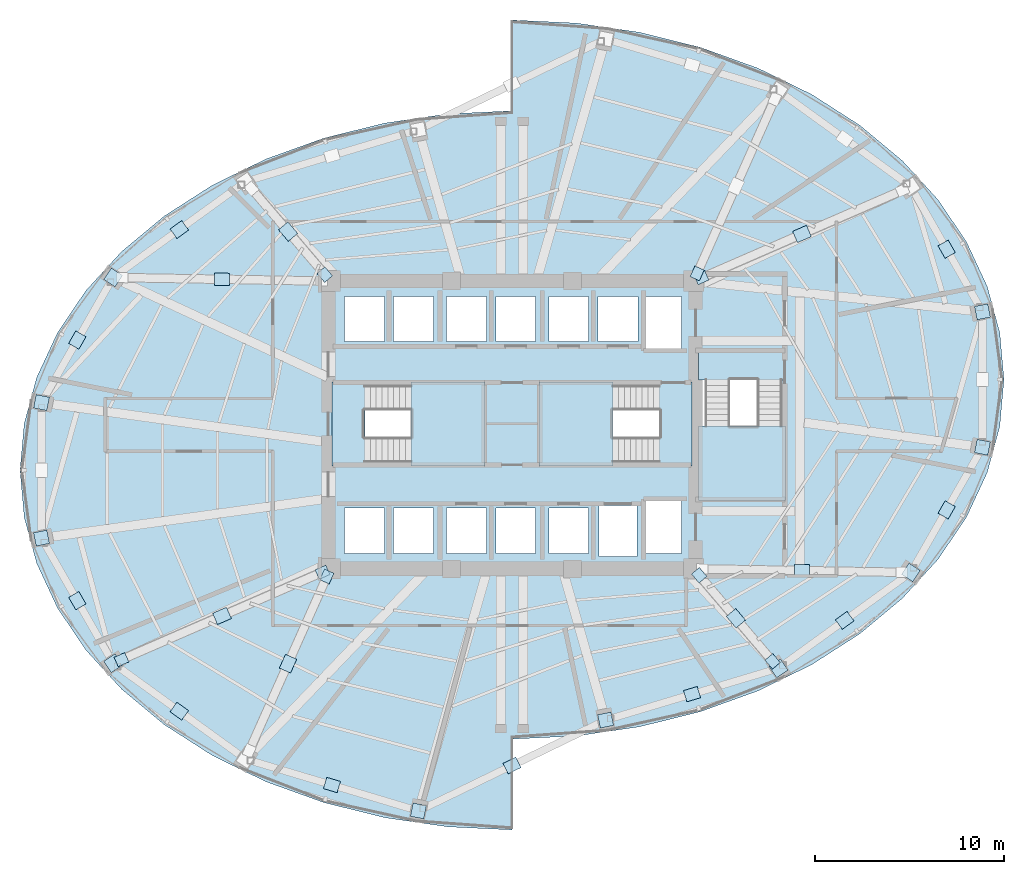
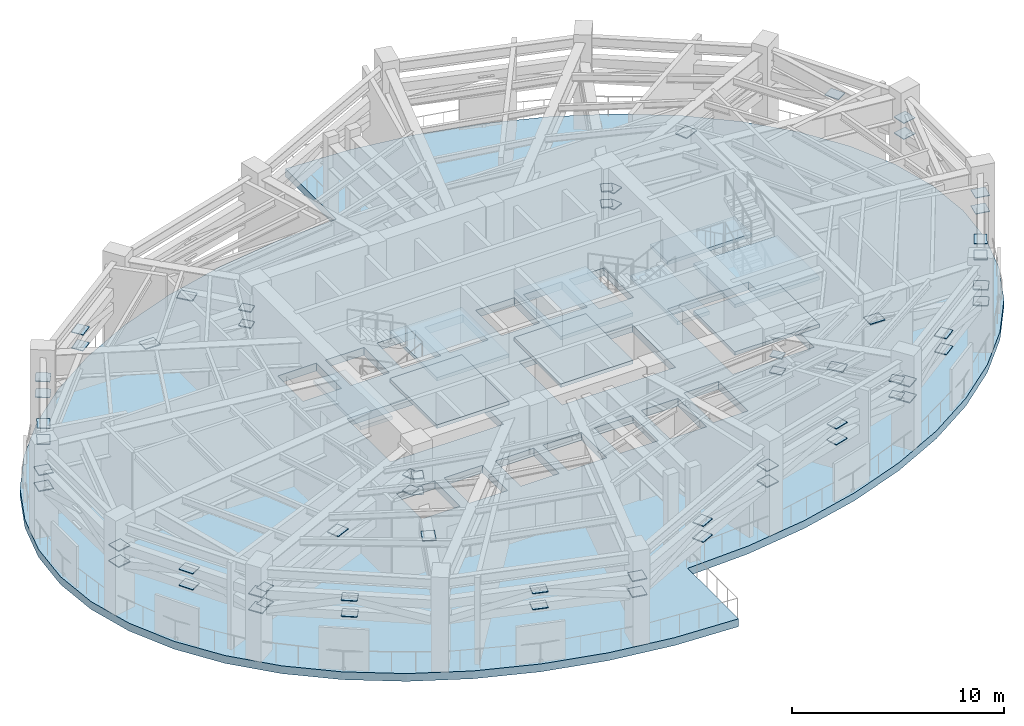
# One storey, part 6 of 12: 62 plates, 10 slabs, 3 elements without a shape of their own.
"""IFC4 building model written with IfcOpenShell, lengths in metres."""

from ifc_helpers import new_model, si_unit, direction, frame, origin, origin_2d, place, context, subcontext, project, spatial, polyline, rectangle, outline, extrude, material, layer, layer_set, type_object, element, aggregate, save


model = new_model("IFC4")

# Units and contexts
model_context = context("Model", 3, precision=1e-05, world=origin(), true_north=direction((0.0, 1.0)))
body_context = subcontext(model_context, "Body", "Model", "MODEL_VIEW")
ifc_project = project(units=[si_unit("LENGTHUNIT", "METRE"), si_unit("AREAUNIT", "SQUARE_METRE"), si_unit("VOLUMEUNIT", "CUBIC_METRE"), si_unit("PLANEANGLEUNIT", "RADIAN"), si_unit("MASSUNIT", "GRAM", prefix="KILO")], contexts=[model_context])

# Site, building, storey
site_placement = place(None, origin())
site = spatial("IfcSite", under=ifc_project, at=site_placement, CompositionType="ELEMENT")
building_placement = place(site_placement, origin())
building = spatial("IfcBuilding", under=site, at=building_placement, Name="Lazwardi Medical Tower", CompositionType="ELEMENT")
storey_placement = place(building_placement, frame((0.0, 0.0, 132.81591796875)))
storey = spatial("IfcBuildingStorey", under=building, at=storey_placement, Name="L34", CompositionType="ELEMENT", Elevation=132.81591796875)

# Plates
ifc_material_1 = material(Name="Steel S460", Category="steel")
ifc_layer_1 = layer(ifc_material_1, 0.0400390625)
ifc_layer_set_1 = layer_set([ifc_layer_1], Name="Steel S460")
plate_type = type_object("IfcPlateType", Name="PLT-GUS-01", PredefinedType="USERDEFINED", material=ifc_layer_set_1)
for number, where, z_axis, x_axis, name in (
    (1, (40.945556640625, 12.402587890625, 2.66015625), (0.0, 0.0, 1.0), (0.195090322016, -0.980785280403, 0.0), "Belt truss column gusset plate GP-01 MB01 L34"),
    (2, (40.945556640625, 12.402587890625, 3.580078125), (0.0, 0.0, 1.0), (0.195090322016, -0.980785280403, 0.0), "Belt truss column gusset plate GP-01 MT01 L34"),
):
    element("IfcPlate", number, at=place(storey_placement, frame(where, z_axis=z_axis, x_axis=x_axis)), inside=storey, type_object=plate_type, Name=name, ObjectType="GUSSET_PLATE", PredefinedType="USERDEFINED", context=body_context, shape_type="SweptSolid", body=[
        extrude(rectangle(XDim=0.719970703125, YDim=0.719970703125, at=origin_2d()), origin(), (0.0, 0.0, 1.0), 0.0400390625),
    ])
for number, where, z_axis, x_axis, name in (
    (3, (45.5146484375, 13.7724609375, 3.580078125), (0.0, 0.0, 1.0), (0.957872634129, 0.287193343912, 0.0), "Belt truss gusset plate GP-01 T01 L34"),
    (4, (45.5146484375, 13.7724609375, 2.66015625), (0.0, 0.0, 1.0), (0.957872634129, 0.287193343912, 0.0), "Belt truss gusset plate GP-01 B01 L34"),
):
    element("IfcPlate", number, at=place(storey_placement, frame(where, z_axis=z_axis, x_axis=x_axis)), inside=storey, type_object=plate_type, Name=name, ObjectType="GUSSET_PLATE", PredefinedType="USERDEFINED", context=body_context, shape_type="SweptSolid", body=[
        extrude(rectangle(XDim=0.760009765625, YDim=0.6201171875, at=origin_2d()), origin(), (0.0, 0.0, 1.0), 0.0400390625),
    ])
for number, where, z_axis, x_axis, name in (
    (5, (50.083740234375, 15.142578125, 2.66015625), (0.0, 0.0, 1.0), (0.55557023302, -0.831469612303, 0.0), "Belt truss column gusset plate GP-01 MB02 L34"),
    (6, (50.083740234375, 15.142578125, 3.580078125), (0.0, 0.0, 1.0), (0.55557023302, -0.831469612303, 0.0), "Belt truss column gusset plate GP-01 MT02 L34"),
):
    element("IfcPlate", number, at=place(storey_placement, frame(where, z_axis=z_axis, x_axis=x_axis)), inside=storey, type_object=plate_type, Name=name, ObjectType="GUSSET_PLATE", PredefinedType="USERDEFINED", context=body_context, shape_type="SweptSolid", body=[
        extrude(rectangle(XDim=0.719970703125, YDim=0.719970703125, at=origin_2d()), origin(), (0.0, 0.0, 1.0), 0.0400390625),
    ])
for number, where, z_axis, x_axis, name in (
    (7, (53.580810546875, 17.673828125, 3.580078125), (0.0, 0.0, 1.0), (0.810041640446, 0.586372356736, 0.0), "Belt truss gusset plate GP-01 T02 L34"),
    (8, (53.580810546875, 17.673828125, 2.66015625), (0.0, 0.0, 1.0), (0.810041640446, 0.586372356736, 0.0), "Belt truss gusset plate GP-01 B02 L34"),
):
    element("IfcPlate", number, at=place(storey_placement, frame(where, z_axis=z_axis, x_axis=x_axis)), inside=storey, type_object=plate_type, Name=name, ObjectType="GUSSET_PLATE", PredefinedType="USERDEFINED", context=body_context, shape_type="SweptSolid", body=[
        extrude(rectangle(XDim=0.760009765625, YDim=0.6201171875, at=origin_2d()), origin(), (0.0, 0.0, 1.0), 0.0400390625),
    ])
for number, where, z_axis, x_axis, name in (
    (9, (57.077880859375, 20.205322265625, 2.66015625), (0.0, 0.0, 1.0), (0.831469612303, -0.55557023302, 0.0), "Belt truss column gusset plate GP-01 MB03 L34"),
    (10, (57.077880859375, 20.205322265625, 3.580078125), (0.0, 0.0, 1.0), (0.831469612303, -0.55557023302, 0.0), "Belt truss column gusset plate GP-01 MT03 L34"),
):
    element("IfcPlate", number, at=place(storey_placement, frame(where, z_axis=z_axis, x_axis=x_axis)), inside=storey, type_object=plate_type, Name=name, ObjectType="GUSSET_PLATE", PredefinedType="USERDEFINED", context=body_context, shape_type="SweptSolid", body=[
        extrude(rectangle(XDim=0.719970703125, YDim=0.719970703125, at=origin_2d()), origin(), (0.0, 0.0, 1.0), 0.0400390625),
    ])
for number, where, z_axis, x_axis, name in (
    (11, (58.97021484375, 23.5126953125, 3.580078125), (0.0, 0.0, 1.0), (0.49667102347, 0.867938877136, 0.0), "Belt truss gusset plate GP-01 T03 L34"),
    (12, (58.97021484375, 23.5126953125, 2.66015625), (0.0, 0.0, 1.0), (0.49667102347, 0.867938877136, 0.0), "Belt truss gusset plate GP-01 B03 L34"),
):
    element("IfcPlate", number, at=place(storey_placement, frame(where, z_axis=z_axis, x_axis=x_axis)), inside=storey, type_object=plate_type, Name=name, ObjectType="GUSSET_PLATE", PredefinedType="USERDEFINED", context=body_context, shape_type="SweptSolid", body=[
        extrude(rectangle(XDim=0.760009765625, YDim=0.6201171875, at=origin_2d()), origin(), (0.0, 0.0, 1.0), 0.0400390625),
    ])
for number, where, z_axis, x_axis, name in (
    (13, (60.86279296875, 26.820068359375, 2.66015625), (0.0, 0.0, 1.0), (0.980785280403, -0.195090322016, 0.0), "Belt truss column gusset plate GP-01 MB04 L34"),
    (14, (60.86279296875, 26.820068359375, 3.580078125), (0.0, 0.0, 1.0), (0.980785280403, -0.195090322016, 0.0), "Belt truss column gusset plate GP-01 MT04 L34"),
    (15, (60.86279296875, 33.97998046875, 2.66015625), (0.0, 0.0, 1.0), (0.980785280403, 0.195090322016, 0.0), "Belt truss column gusset plate GP-01 MB05 L34"),
    (16, (60.86279296875, 33.97998046875, 3.580078125), (0.0, 0.0, 1.0), (0.980785280403, 0.195090322016, 0.0), "Belt truss column gusset plate GP-01 MT05 L34"),
):
    element("IfcPlate", number, at=place(storey_placement, frame(where, z_axis=z_axis, x_axis=x_axis)), inside=storey, type_object=plate_type, Name=name, ObjectType="GUSSET_PLATE", PredefinedType="USERDEFINED", context=body_context, shape_type="SweptSolid", body=[
        extrude(rectangle(XDim=0.719970703125, YDim=0.719970703125, at=origin_2d()), origin(), (0.0, 0.0, 1.0), 0.0400390625),
    ])
for number, where, z_axis, x_axis, name in (
    (17, (58.97021484375, 37.287353515625, 3.580078125), (0.0, 0.0, 1.0), (-0.49667102347, 0.867938877136, 0.0), "Belt truss gusset plate GP-01 T05 L34"),
    (18, (18.419189453125, 38.326171875, 3.580078125), (0.0, 0.0, 1.0), (-0.810041640446, -0.586372356736, 0.0), "Belt truss gusset plate GP-01 T10 L34"),
    (19, (18.419189453125, 38.326171875, 2.66015625), (0.0, 0.0, 1.0), (-0.810041640446, -0.586372356736, 0.0), "Belt truss gusset plate GP-01 B10 L34"),
):
    element("IfcPlate", number, at=place(storey_placement, frame(where, z_axis=z_axis, x_axis=x_axis)), inside=storey, type_object=plate_type, Name=name, ObjectType="GUSSET_PLATE", PredefinedType="USERDEFINED", context=body_context, shape_type="SweptSolid", body=[
        extrude(rectangle(XDim=0.760009765625, YDim=0.6201171875, at=origin_2d()), origin(), (0.0, 0.0, 1.0), 0.0400390625),
    ])
for number, where, z_axis, x_axis, name in (
    (20, (14.922119140625, 35.794677734375, 2.66015625), (0.0, 0.0, 1.0), (-0.831469612303, 0.55557023302, 0.0), "Belt truss column gusset plate GP-01 MB11 L34"),
    (21, (14.922119140625, 35.794677734375, 3.580078125), (0.0, 0.0, 1.0), (-0.831469612303, 0.55557023302, 0.0), "Belt truss column gusset plate GP-01 MT11 L34"),
):
    element("IfcPlate", number, at=place(storey_placement, frame(where, z_axis=z_axis, x_axis=x_axis)), inside=storey, type_object=plate_type, Name=name, ObjectType="GUSSET_PLATE", PredefinedType="USERDEFINED", context=body_context, shape_type="SweptSolid", body=[
        extrude(rectangle(XDim=0.719970703125, YDim=0.719970703125, at=origin_2d()), origin(), (0.0, 0.0, 1.0), 0.0400390625),
    ])
for number, where, z_axis, x_axis, name in (
    (22, (13.02978515625, 32.4873046875, 3.580078125), (0.0, 0.0, 1.0), (-0.49667102347, -0.867938877136, 0.0), "Belt truss gusset plate GP-01 T11 L34"),
    (23, (13.02978515625, 32.4873046875, 2.66015625), (0.0, 0.0, 1.0), (-0.49667102347, -0.867938877136, 0.0), "Belt truss gusset plate GP-01 B11 L34"),
):
    element("IfcPlate", number, at=place(storey_placement, frame(where, z_axis=z_axis, x_axis=x_axis)), inside=storey, type_object=plate_type, Name=name, ObjectType="GUSSET_PLATE", PredefinedType="USERDEFINED", context=body_context, shape_type="SweptSolid", body=[
        extrude(rectangle(XDim=0.760009765625, YDim=0.6201171875, at=origin_2d()), origin(), (0.0, 0.0, 1.0), 0.0400390625),
    ])
for number, where, z_axis, x_axis, name in (
    (24, (11.13720703125, 29.179931640625, 2.66015625), (0.0, 0.0, 1.0), (-0.980785280403, 0.195090322016, 0.0), "Belt truss column gusset plate GP-01 MB12 L34"),
    (25, (11.13720703125, 29.179931640625, 3.580078125), (0.0, 0.0, 1.0), (-0.980785280403, 0.195090322016, 0.0), "Belt truss column gusset plate GP-01 MT12 L34"),
    (26, (11.13720703125, 22.02001953125, 2.66015625), (0.0, 0.0, 1.0), (-0.980785280403, -0.195090322016, 0.0), "Belt truss column gusset plate GP-01 MB13 L34"),
    (27, (11.13720703125, 22.02001953125, 3.580078125), (0.0, 0.0, 1.0), (-0.980785280403, -0.195090322016, 0.0), "Belt truss column gusset plate GP-01 MT13 L34"),
):
    element("IfcPlate", number, at=place(storey_placement, frame(where, z_axis=z_axis, x_axis=x_axis)), inside=storey, type_object=plate_type, Name=name, ObjectType="GUSSET_PLATE", PredefinedType="USERDEFINED", context=body_context, shape_type="SweptSolid", body=[
        extrude(rectangle(XDim=0.719970703125, YDim=0.719970703125, at=origin_2d()), origin(), (0.0, 0.0, 1.0), 0.0400390625),
    ])
for number, where, z_axis, x_axis, name in (
    (28, (13.02978515625, 18.712646484375, 3.580078125), (0.0, 0.0, 1.0), (0.49667102347, -0.867938877136, 0.0), "Belt truss gusset plate GP-01 T13 L34"),
    (29, (13.02978515625, 18.712646484375, 2.66015625), (0.0, 0.0, 1.0), (0.49667102347, -0.867938877136, 0.0), "Belt truss gusset plate GP-01 B13 L34"),
):
    element("IfcPlate", number, at=place(storey_placement, frame(where, z_axis=z_axis, x_axis=x_axis)), inside=storey, type_object=plate_type, Name=name, ObjectType="GUSSET_PLATE", PredefinedType="USERDEFINED", context=body_context, shape_type="SweptSolid", body=[
        extrude(rectangle(XDim=0.760009765625, YDim=0.6201171875, at=origin_2d()), origin(), (0.0, 0.0, 1.0), 0.0400390625),
    ])
for number, where, z_axis, x_axis, name in (
    (30, (14.922119140625, 15.4052734375, 2.66015625), (0.0, 0.0, 1.0), (-0.831469612303, -0.55557023302, 0.0), "Belt truss column gusset plate GP-01 MB14 L34"),
    (31, (14.922119140625, 15.4052734375, 3.580078125), (0.0, 0.0, 1.0), (-0.831469612303, -0.55557023302, 0.0), "Belt truss column gusset plate GP-01 MT14 L34"),
):
    element("IfcPlate", number, at=place(storey_placement, frame(where, z_axis=z_axis, x_axis=x_axis)), inside=storey, type_object=plate_type, Name=name, ObjectType="GUSSET_PLATE", PredefinedType="USERDEFINED", context=body_context, shape_type="SweptSolid", body=[
        extrude(rectangle(XDim=0.719970703125, YDim=0.719970703125, at=origin_2d()), origin(), (0.0, 0.0, 1.0), 0.0400390625),
    ])
for number, where, z_axis, x_axis, name in (
    (32, (18.419189453125, 12.873779296875, 3.580078125), (0.0, 0.0, 1.0), (0.810041640446, -0.586372356736, 0.0), "Belt truss gusset plate GP-01 T14 L34"),
    (33, (18.419189453125, 12.873779296875, 2.66015625), (0.0, 0.0, 1.0), (0.810041640446, -0.586372356736, 0.0), "Belt truss gusset plate GP-01 B14 L34"),
    (34, (26.4853515625, 8.97265625, 3.580078125), (0.0, 0.0, 1.0), (0.957872634129, -0.287193343912, 0.0), "Belt truss gusset plate GP-01 T15 L34"),
    (35, (26.4853515625, 8.97265625, 2.66015625), (0.0, 0.0, 1.0), (0.957872634129, -0.287193343912, 0.0), "Belt truss gusset plate GP-01 B15 L34"),
):
    element("IfcPlate", number, at=place(storey_placement, frame(where, z_axis=z_axis, x_axis=x_axis)), inside=storey, type_object=plate_type, Name=name, ObjectType="GUSSET_PLATE", PredefinedType="USERDEFINED", context=body_context, shape_type="SweptSolid", body=[
        extrude(rectangle(XDim=0.760009765625, YDim=0.6201171875, at=origin_2d()), origin(), (0.0, 0.0, 1.0), 0.0400390625),
    ])
for number, where, z_axis, x_axis, name in (
    (36, (31.054443359375, 7.6025390625, 2.66015625), (0.0, 0.0, 1.0), (-0.195090322016, -0.980785280403, 0.0), "Belt truss column gusset plate GP-01 MB16 L34"),
    (37, (31.054443359375, 7.6025390625, 3.580078125), (0.0, 0.0, 1.0), (-0.195090322016, -0.980785280403, 0.0), "Belt truss column gusset plate GP-01 MT16 L34"),
):
    element("IfcPlate", number, at=place(storey_placement, frame(where, z_axis=z_axis, x_axis=x_axis)), inside=storey, type_object=plate_type, Name=name, ObjectType="GUSSET_PLATE", PredefinedType="USERDEFINED", context=body_context, shape_type="SweptSolid", body=[
        extrude(rectangle(XDim=0.719970703125, YDim=0.719970703125, at=origin_2d()), origin(), (0.0, 0.0, 1.0), 0.0400390625),
    ])
for number, where, z_axis, x_axis, name in (
    (38, (36.0, 10.002685546875, 3.580078125), (0.0, 0.0, 1.0), (0.899634001548, 0.436644779265, 0.0), "Belt truss gusset plate GP-01 T16 L34"),
    (39, (36.0, 10.002685546875, 2.66015625), (0.0, 0.0, 1.0), (0.899634001548, 0.436644779265, 0.0), "Belt truss gusset plate GP-01 B16 L34"),
):
    element("IfcPlate", number, at=place(storey_placement, frame(where, z_axis=z_axis, x_axis=x_axis)), inside=storey, type_object=plate_type, Name=name, ObjectType="GUSSET_PLATE", PredefinedType="USERDEFINED", context=body_context, shape_type="SweptSolid", body=[
        extrude(rectangle(XDim=0.760009765625, YDim=0.6201171875, at=origin_2d()), origin(), (0.0, 0.0, 1.0), 0.0400390625),
    ])
plate_1_placement = place(storey_placement, frame((20.6748046875, 17.90869140625, 3.580078125), z_axis=(0.0, 0.0, 1.0), x_axis=(-0.916920828835, -0.39906915898, 0.0)))
element("IfcPlate", 40, at=plate_1_placement, inside=storey, type_object=plate_type, Name="Outrigger truss gusset plate GP-01 OR1 L34", ObjectType="GUSSET_PLATE", PredefinedType="USERDEFINED", context=body_context, shape_type="SweptSolid", body=[
    extrude(rectangle(XDim=0.800048828125, YDim=0.64990234375, at=origin_2d()), origin(), (0.0, 0.0, 1.0), 0.0400390625),
])
for number, where, z_axis, x_axis, name in (
    (41, (25.9873046875, 20.220458984375, 2.66015625), (0.0, 0.0, 1.0), (-0.916920828835, -0.39906915898, 0.0), "Outrigger core gusset plate GP-01 OR1CB L34"),
    (42, (25.9873046875, 20.220458984375, 3.580078125), (0.0, 0.0, 1.0), (-0.916920828835, -0.39906915898, 0.0), "Outrigger core gusset plate GP-01 OR1CT L34"),
    (43, (15.3623046875, 15.5966796875, 2.66015625), (0.0, 0.0, 1.0), (-0.916920828835, -0.39906915898, 0.0), "Outrigger perimeter gusset plate GP-01 OR1MB L34"),
    (44, (15.3623046875, 15.5966796875, 3.580078125), (0.0, 0.0, 1.0), (-0.916920828835, -0.39906915898, 0.0), "Outrigger perimeter gusset plate GP-01 OR1MT L34"),
):
    element("IfcPlate", number, at=place(storey_placement, frame(where, z_axis=z_axis, x_axis=x_axis)), inside=storey, type_object=plate_type, Name=name, ObjectType="GUSSET_PLATE", PredefinedType="USERDEFINED", context=body_context, shape_type="SweptSolid", body=[
        extrude(rectangle(XDim=0.6201171875, YDim=0.5400390625, at=origin_2d()), origin(), (0.0, 0.0, 1.0), 0.0400390625),
    ])
plate_2_placement = place(storey_placement, frame((24.164306640625, 15.385009765625, 3.580078125), z_axis=(0.0, 0.0, 1.0), x_axis=(-0.407214918582, -0.913332365617, 0.0)))
element("IfcPlate", 45, at=plate_2_placement, inside=storey, type_object=plate_type, Name="Outrigger truss gusset plate GP-01 OR2 L34", ObjectType="GUSSET_PLATE", PredefinedType="USERDEFINED", context=body_context, shape_type="SweptSolid", body=[
    extrude(rectangle(XDim=0.800048828125, YDim=0.64990234375, at=origin_2d()), origin(), (0.0, 0.0, 1.0), 0.0400390625),
])
for number, where, z_axis, x_axis, name in (
    (46, (26.216796875, 19.989013671875, 2.66015625), (0.0, 0.0, 1.0), (-0.407214918582, -0.913332365617, 0.0), "Outrigger core gusset plate GP-01 OR2CB L34"),
    (47, (26.216796875, 19.989013671875, 3.580078125), (0.0, 0.0, 1.0), (-0.407214918582, -0.913332365617, 0.0), "Outrigger core gusset plate GP-01 OR2CT L34"),
):
    element("IfcPlate", number, at=place(storey_placement, frame(where, z_axis=z_axis, x_axis=x_axis)), inside=storey, type_object=plate_type, Name=name, ObjectType="GUSSET_PLATE", PredefinedType="USERDEFINED", context=body_context, shape_type="SweptSolid", body=[
        extrude(rectangle(XDim=0.6201171875, YDim=0.5400390625, at=origin_2d()), origin(), (0.0, 0.0, 1.0), 0.0400390625),
    ])
plate_3_placement = place(storey_placement, frame((47.83203125, 17.78271484375, 3.580078125), z_axis=(0.0, 0.0, 1.0), x_axis=(0.648917026597, -0.760859180527, 0.0)))
element("IfcPlate", 48, at=plate_3_placement, inside=storey, type_object=plate_type, Name="Outrigger truss gusset plate GP-01 OR3 L34", ObjectType="GUSSET_PLATE", PredefinedType="USERDEFINED", context=body_context, shape_type="SweptSolid", body=[
    extrude(rectangle(XDim=0.800048828125, YDim=0.64990234375, at=origin_2d()), origin(), (0.0, 0.0, 1.0), 0.0400390625),
])
for number, where, z_axis, x_axis, name in (
    (49, (45.89208984375, 20.0576171875, 2.66015625), (0.0, 0.0, 1.0), (0.648917026597, -0.760859180527, 0.0), "Outrigger core gusset plate GP-01 OR3CB L34"),
    (50, (45.89208984375, 20.0576171875, 3.580078125), (0.0, 0.0, 1.0), (0.648917026597, -0.760859180527, 0.0), "Outrigger core gusset plate GP-01 OR3CT L34"),
    (51, (49.772216796875, 15.5078125, 2.66015625), (0.0, 0.0, 1.0), (0.648917026597, -0.760859180527, 0.0), "Outrigger perimeter gusset plate GP-01 OR3MB L34"),
    (52, (49.772216796875, 15.5078125, 3.580078125), (0.0, 0.0, 1.0), (0.648917026597, -0.760859180527, 0.0), "Outrigger perimeter gusset plate GP-01 OR3MT L34"),
):
    element("IfcPlate", number, at=place(storey_placement, frame(where, z_axis=z_axis, x_axis=x_axis)), inside=storey, type_object=plate_type, Name=name, ObjectType="GUSSET_PLATE", PredefinedType="USERDEFINED", context=body_context, shape_type="SweptSolid", body=[
        extrude(rectangle(XDim=0.6201171875, YDim=0.5400390625, at=origin_2d()), origin(), (0.0, 0.0, 1.0), 0.0400390625),
    ])
for number, where, z_axis, x_axis, name in (
    (53, (51.323974609375, 20.302978515625, 3.60205078125), (0.0, 0.0, 1.0), (0.999856696158, -0.01692888504, 0.0), "Outrigger truss gusset plate GP-01 OR4 L34"),
    (54, (51.3251953125, 38.09130859375, 3.580078125), (0.0, 0.0, 1.0), (0.916920828835, 0.39906915898, 0.0), "Outrigger truss gusset plate GP-01 OR5 L34"),
):
    element("IfcPlate", number, at=place(storey_placement, frame(where, z_axis=z_axis, x_axis=x_axis)), inside=storey, type_object=plate_type, Name=name, ObjectType="GUSSET_PLATE", PredefinedType="USERDEFINED", context=body_context, shape_type="SweptSolid", body=[
        extrude(rectangle(XDim=0.800048828125, YDim=0.64990234375, at=origin_2d()), origin(), (0.0, 0.0, 1.0), 0.0400390625),
    ])
for number, where, z_axis, x_axis, name in (
    (55, (46.0126953125, 35.779541015625, 2.66015625), (0.0, 0.0, 1.0), (0.916920828835, 0.39906915898, 0.0), "Outrigger core gusset plate GP-01 OR5CB L34"),
    (56, (46.0126953125, 35.779541015625, 3.580078125), (0.0, 0.0, 1.0), (0.916920828835, 0.39906915898, 0.0), "Outrigger core gusset plate GP-01 OR5CT L34"),
    (57, (45.783203125, 36.010986328125, 2.66015625), (0.0, 0.0, 1.0), (0.407214918582, 0.913332365617, 0.0), "Outrigger core gusset plate GP-01 OR6CB L34"),
    (58, (45.783203125, 36.010986328125, 3.580078125), (0.0, 0.0, 1.0), (0.407214918582, 0.913332365617, 0.0), "Outrigger core gusset plate GP-01 OR6CT L34"),
):
    element("IfcPlate", number, at=place(storey_placement, frame(where, z_axis=z_axis, x_axis=x_axis)), inside=storey, type_object=plate_type, Name=name, ObjectType="GUSSET_PLATE", PredefinedType="USERDEFINED", context=body_context, shape_type="SweptSolid", body=[
        extrude(rectangle(XDim=0.6201171875, YDim=0.5400390625, at=origin_2d()), origin(), (0.0, 0.0, 1.0), 0.0400390625),
    ])
plate_4_placement = place(storey_placement, frame((24.16796875, 38.21728515625, 3.580078125), z_axis=(0.0, 0.0, 1.0), x_axis=(-0.648917026597, 0.760859180527, 0.0)))
element("IfcPlate", 59, at=plate_4_placement, inside=storey, type_object=plate_type, Name="Outrigger truss gusset plate GP-01 OR7 L34", ObjectType="GUSSET_PLATE", PredefinedType="USERDEFINED", context=body_context, shape_type="SweptSolid", body=[
    extrude(rectangle(XDim=0.800048828125, YDim=0.64990234375, at=origin_2d()), origin(), (0.0, 0.0, 1.0), 0.0400390625),
])
for number, where, z_axis, x_axis, name in (
    (60, (26.10791015625, 35.9423828125, 2.66015625), (0.0, 0.0, 1.0), (-0.648917026597, 0.760859180527, 0.0), "Outrigger core gusset plate GP-01 OR7CB L34"),
    (61, (26.10791015625, 35.9423828125, 3.580078125), (0.0, 0.0, 1.0), (-0.648917026597, 0.760859180527, 0.0), "Outrigger core gusset plate GP-01 OR7CT L34"),
):
    element("IfcPlate", number, at=place(storey_placement, frame(where, z_axis=z_axis, x_axis=x_axis)), inside=storey, type_object=plate_type, Name=name, ObjectType="GUSSET_PLATE", PredefinedType="USERDEFINED", context=body_context, shape_type="SweptSolid", body=[
        extrude(rectangle(XDim=0.6201171875, YDim=0.5400390625, at=origin_2d()), origin(), (0.0, 0.0, 1.0), 0.0400390625),
    ])
plate_5_placement = place(storey_placement, frame((20.676025390625, 35.697021484375, 3.580078125), z_axis=(0.0, 0.0, 1.0), x_axis=(-0.999856696158, 0.01692888504, 0.0)))
element("IfcPlate", 62, at=plate_5_placement, inside=storey, type_object=plate_type, Name="Outrigger truss gusset plate GP-01 OR8 L34", ObjectType="GUSSET_PLATE", PredefinedType="USERDEFINED", context=body_context, shape_type="SweptSolid", body=[
    extrude(rectangle(XDim=0.800048828125, YDim=0.64990234375, at=origin_2d()), origin(), (0.0, 0.0, 1.0), 0.0400390625),
])

# Stair, slabs
ifc_material_2 = material(Name="Concrete C45/55", Category="concrete")
stair_type = type_object("IfcStairType", Name="STR-REF", PredefinedType="HALF_TURN_STAIR", material=ifc_material_2)
stair_1_placement = place(storey_placement, origin())
stair_1 = element("IfcStair", 63, at=stair_1_placement, inside=storey, type_object=stair_type, Name="L34 Protected Exit Stair ST1", PredefinedType="HALF_TURN_STAIR")
ifc_layer_2 = layer(ifc_material_2, 0.199951171875)
ifc_layer_set_2 = layer_set([ifc_layer_2], Name="Concrete C45/55")
slab_type_1 = type_object("IfcSlabType", Name="SLB-LND-190", PredefinedType="LANDING", material=ifc_layer_set_2)
slab_1_placement = place(storey_placement, frame((0.0, 0.0, 1.16796875)))
slab_1 = element("IfcSlab", 64, at=slab_1_placement, type_object=slab_type_1, Name="ST1 landing 1", PredefinedType="LANDING", context=body_context, shape_type="SweptSolid", body=[
    extrude(outline(polyline([(30.655029296875, 25.840087890625), (34.580078125, 25.840087890625), (34.580078125, 30.280029296875), (30.655029296875, 30.280029296875), (30.655029296875, 25.840087890625)])), origin(), (0.0, 0.0, 1.0), 0.2001953125),
])
slab_2_placement = place(storey_placement, frame((0.0, 0.0, 2.5361328125)))
slab_2 = element("IfcSlab", 65, at=slab_2_placement, type_object=slab_type_1, Name="ST1 landing 2", PredefinedType="LANDING", context=body_context, shape_type="SweptSolid", body=[
    extrude(outline(polyline([(26.47998046875, 25.840087890625), (28.22509765625, 25.840087890625), (28.22509765625, 30.280029296875), (26.47998046875, 30.280029296875), (26.47998046875, 25.840087890625)])), origin(), (0.0, 0.0, 1.0), 0.199951171875),
])
slab_3_placement = place(storey_placement, frame((0.0, 0.0, 3.904052734375)))
slab_3 = element("IfcSlab", 66, at=slab_3_placement, type_object=slab_type_1, Name="ST1 landing 3", PredefinedType="LANDING", context=body_context, shape_type="SweptSolid", body=[
    extrude(outline(polyline([(30.655029296875, 25.840087890625), (34.580078125, 25.840087890625), (34.580078125, 30.280029296875), (30.655029296875, 30.280029296875), (30.655029296875, 25.840087890625)])), origin(), (0.0, 0.0, 1.0), 0.199951171875),
])
aggregate(stair_1, [slab_1, slab_2, slab_3])

stair_2_placement = place(storey_placement, origin())
stair_2 = element("IfcStair", 67, at=stair_2_placement, inside=storey, type_object=stair_type, Name="L34 Protected Exit Stair ST2", PredefinedType="HALF_TURN_STAIR")
slab_4_placement = place(storey_placement, frame((0.0, 0.0, 1.16796875)))
slab_4 = element("IfcSlab", 68, at=slab_4_placement, type_object=slab_type_1, Name="ST2 landing 1", PredefinedType="LANDING", context=body_context, shape_type="SweptSolid", body=[
    extrude(outline(polyline([(41.344970703125, 30.280029296875), (37.419921875, 30.280029296875), (37.419921875, 25.840087890625), (41.344970703125, 25.840087890625), (41.344970703125, 30.280029296875)])), origin(), (0.0, 0.0, 1.0), 0.2001953125),
])
slab_5_placement = place(storey_placement, frame((0.0, 0.0, 2.5361328125)))
slab_5 = element("IfcSlab", 69, at=slab_5_placement, type_object=slab_type_1, Name="ST2 landing 2", PredefinedType="LANDING", context=body_context, shape_type="SweptSolid", body=[
    extrude(outline(polyline([(45.52001953125, 30.280029296875), (43.77490234375, 30.280029296875), (43.77490234375, 25.840087890625), (45.52001953125, 25.840087890625), (45.52001953125, 30.280029296875)])), origin(), (0.0, 0.0, 1.0), 0.199951171875),
])
slab_6_placement = place(storey_placement, frame((0.0, 0.0, 3.904052734375)))
slab_6 = element("IfcSlab", 70, at=slab_6_placement, type_object=slab_type_1, Name="ST2 landing 3", PredefinedType="LANDING", context=body_context, shape_type="SweptSolid", body=[
    extrude(outline(polyline([(41.344970703125, 30.280029296875), (37.419921875, 30.280029296875), (37.419921875, 25.840087890625), (41.344970703125, 25.840087890625), (41.344970703125, 30.280029296875)])), origin(), (0.0, 0.0, 1.0), 0.199951171875),
])
aggregate(stair_2, [slab_4, slab_5, slab_6])

stair_3_placement = place(storey_placement, origin())
stair_3 = element("IfcStair", 71, at=stair_3_placement, inside=storey, type_object=stair_type, Name="L34 Protected Exit Stair ST3", PredefinedType="HALF_TURN_STAIR")
slab_7_placement = place(storey_placement, frame((0.0, 0.0, 1.16796875)))
slab_7 = element("IfcSlab", 72, at=slab_7_placement, type_object=slab_type_1, Name="ST3 landing 1", PredefinedType="LANDING", context=body_context, shape_type="SweptSolid", body=[
    extrude(outline(polyline([(45.860107421875, 27.945068359375), (45.860107421875, 24.02001953125), (50.4599609375, 24.02001953125), (50.4599609375, 27.945068359375), (45.860107421875, 27.945068359375)])), origin(), (0.0, 0.0, 1.0), 0.2001953125),
])
slab_8_placement = place(storey_placement, frame((0.0, 0.0, 2.5361328125)))
slab_8 = element("IfcSlab", 73, at=slab_8_placement, type_object=slab_type_1, Name="ST3 landing 2", PredefinedType="LANDING", context=body_context, shape_type="SweptSolid", body=[
    extrude(outline(polyline([(45.860107421875, 32.02001953125), (45.860107421875, 30.375), (50.4599609375, 30.375), (50.4599609375, 32.02001953125), (45.860107421875, 32.02001953125)])), origin(), (0.0, 0.0, 1.0), 0.199951171875),
])
slab_9_placement = place(storey_placement, frame((0.0, 0.0, 3.904052734375)))
slab_9 = element("IfcSlab", 74, at=slab_9_placement, type_object=slab_type_1, Name="ST3 landing 3", PredefinedType="LANDING", context=body_context, shape_type="SweptSolid", body=[
    extrude(outline(polyline([(45.860107421875, 27.945068359375), (45.860107421875, 24.02001953125), (50.4599609375, 24.02001953125), (50.4599609375, 27.945068359375), (45.860107421875, 27.945068359375)])), origin(), (0.0, 0.0, 1.0), 0.199951171875),
])
aggregate(stair_3, [slab_7, slab_8, slab_9])

# Slab
ifc_material_3 = material(Name="Concrete C60/75", Category="concrete")
ifc_layer_3 = layer(ifc_material_3, 0.449951171875)
ifc_layer_set_3 = layer_set([ifc_layer_3], Name="Concrete C60/75")
slab_type_2 = type_object("IfcSlabType", Name="SLB-TRN-450", PredefinedType="FLOOR", material=ifc_layer_set_3)
slab_10_placement = place(storey_placement, frame((0.0, 0.0, -0.449951171875)))
element("IfcSlab", 75, at=slab_10_placement, inside=storey, type_object=slab_type_2, Name="Structural floor slab SF-02 L34", PredefinedType="FLOOR", context=body_context, shape_type="SweptSolid", body=[
    extrude(outline(polyline([(11.97900390625, 32.87109375), (10.885986328125, 30.517578125), (10.222412109375, 28.080078125), (10.0, 25.60009765625), (10.222412109375, 23.1201171875), (10.885986328125, 20.682373046875), (11.97900390625, 18.3291015625), (13.4833984375, 16.10009765625), (15.372802734375, 14.033447265625), (17.615234375, 12.1650390625), (20.172119140625, 10.5263671875), (23.0, 9.1455078125), (26.05029296875, 8.04638671875), (29.270751953125, 7.247314453125), (32.606201171875, 6.762451171875), (36.0, 6.60009765625), (36.0, 11.39990234375), (39.393798828125, 11.5625), (42.729248046875, 12.04736328125), (45.94970703125, 12.84619140625), (49.0, 13.945556640625), (51.827880859375, 15.326416015625), (54.384765625, 16.965087890625), (56.627197265625, 18.83349609375), (58.5166015625, 20.89990234375), (60.02099609375, 23.12890625), (61.114013671875, 25.482421875), (61.777587890625, 27.919921875), (62.0, 30.39990234375), (61.777587890625, 32.8798828125), (61.114013671875, 35.317626953125), (60.02099609375, 37.6708984375), (58.5166015625, 39.89990234375), (56.627197265625, 41.966552734375), (54.384765625, 43.8349609375), (51.827880859375, 45.4736328125), (49.0, 46.8544921875), (45.94970703125, 47.95361328125), (42.729248046875, 48.752685546875), (39.393798828125, 49.237548828125), (36.0, 49.39990234375), (36.0, 44.60009765625), (32.606201171875, 44.4375), (29.270751953125, 43.95263671875), (26.05029296875, 43.15380859375), (23.0, 42.054443359375), (20.172119140625, 40.673583984375), (17.615234375, 39.034912109375), (15.372802734375, 37.16650390625), (13.4833984375, 35.10009765625), (11.97900390625, 32.87109375)]), holes=[polyline([(28.22509765625, 26.02001953125), (28.22509765625, 30.10009765625), (34.39990234375, 30.10009765625), (34.39990234375, 26.02001953125), (28.22509765625, 26.02001953125)]), polyline([(37.60009765625, 30.10009765625), (43.77490234375, 30.10009765625), (43.77490234375, 26.02001953125), (37.60009765625, 26.02001953125), (37.60009765625, 30.10009765625)]), polyline([(50.280029296875, 30.375), (50.280029296875, 24.179931640625), (45.840087890625, 24.179931640625), (45.840087890625, 30.375), (50.280029296875, 30.375)]), polyline([(29.25, 32.39990234375), (27.14990234375, 32.39990234375), (27.14990234375, 34.800048828125), (29.25, 34.800048828125), (29.25, 32.39990234375)]), polyline([(29.75, 32.39990234375), (29.75, 34.800048828125), (31.85009765625, 34.800048828125), (31.85009765625, 32.39990234375), (29.75, 32.39990234375)]), polyline([(27.14990234375, 23.60009765625), (29.25, 23.60009765625), (29.25, 21.199951171875), (27.14990234375, 21.199951171875), (27.14990234375, 23.60009765625)]), polyline([(31.85009765625, 23.60009765625), (31.85009765625, 21.199951171875), (29.75, 21.199951171875), (29.75, 23.60009765625), (31.85009765625, 23.60009765625)]), polyline([(34.64990234375, 32.39990234375), (32.550048828125, 32.39990234375), (32.550048828125, 34.800048828125), (34.64990234375, 34.800048828125), (34.64990234375, 32.39990234375)]), polyline([(35.14990234375, 32.39990234375), (35.14990234375, 34.800048828125), (37.25, 34.800048828125), (37.25, 32.39990234375), (35.14990234375, 32.39990234375)]), polyline([(32.550048828125, 23.60009765625), (34.64990234375, 23.60009765625), (34.64990234375, 21.199951171875), (32.550048828125, 21.199951171875), (32.550048828125, 23.60009765625)]), polyline([(37.25, 23.60009765625), (37.25, 21.199951171875), (35.14990234375, 21.199951171875), (35.14990234375, 23.60009765625), (37.25, 23.60009765625)]), polyline([(40.050048828125, 32.39990234375), (37.949951171875, 32.39990234375), (37.949951171875, 34.800048828125), (40.050048828125, 34.800048828125), (40.050048828125, 32.39990234375)]), polyline([(40.550048828125, 32.39990234375), (40.550048828125, 34.800048828125), (42.64990234375, 34.800048828125), (42.64990234375, 32.39990234375), (40.550048828125, 32.39990234375)]), polyline([(37.949951171875, 23.60009765625), (40.050048828125, 23.60009765625), (40.050048828125, 21.199951171875), (37.949951171875, 21.199951171875), (37.949951171875, 23.60009765625)]), polyline([(44.949951171875, 34.800048828125), (44.949951171875, 32.0), (43.050048828125, 32.0), (43.050048828125, 34.800048828125), (44.949951171875, 34.800048828125)]), polyline([(44.949951171875, 21.199951171875), (43.050048828125, 21.199951171875), (43.050048828125, 24.0), (44.949951171875, 24.0), (44.949951171875, 21.199951171875)]), polyline([(40.60009765625, 21.050048828125), (40.60009765625, 23.75), (42.60009765625, 23.75), (42.60009765625, 21.050048828125), (40.60009765625, 21.050048828125)])]), origin(), (0.0, 0.0, 1.0), 0.449951171875),
])

save(model, "model.ifc")
